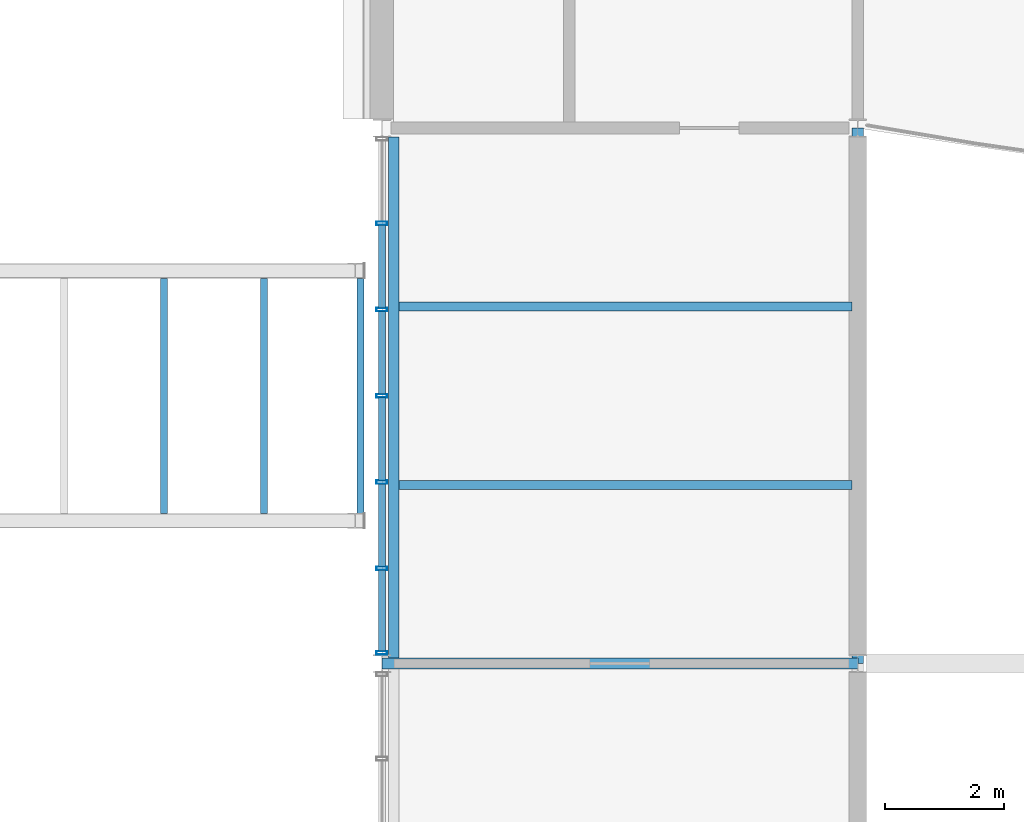
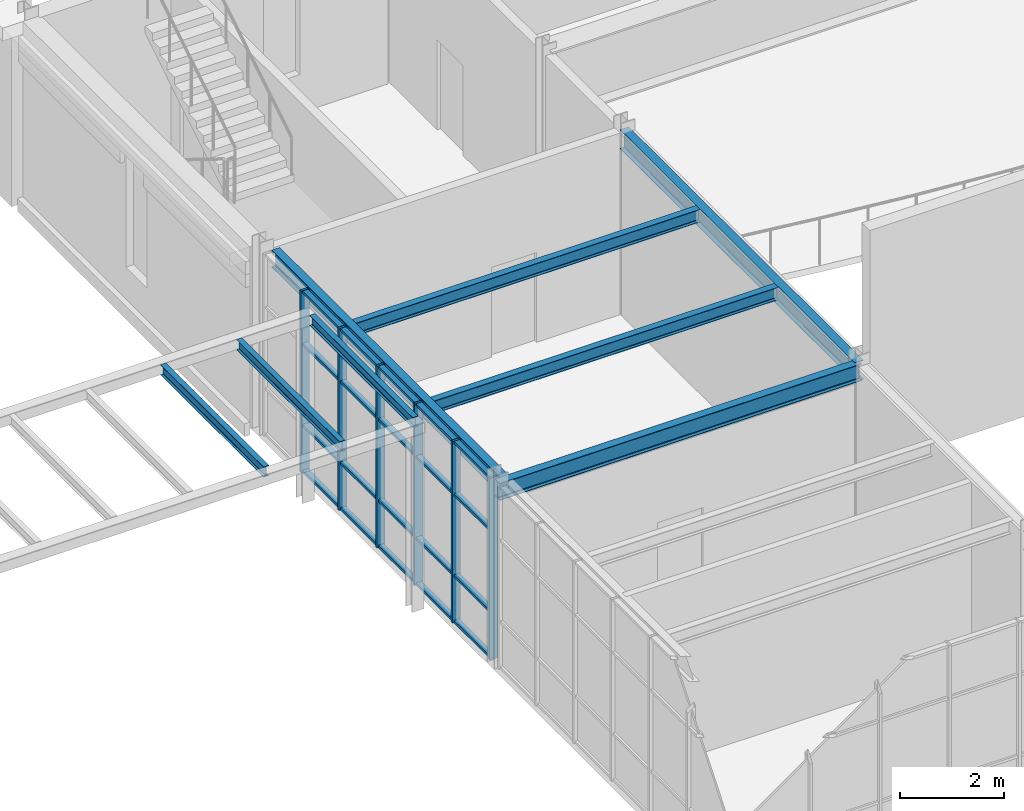
# One storey, part 71 of 153: 26 members, 8 beams, 1 element without a shape of its own.
"""IFC4 building model written with IfcOpenShell, lengths in metres."""

from ifc_helpers import new_model, si_unit, direction, frame, origin, origin_2d, place, context, subcontext, project, spatial, hollow_rectangle, i_section, extrude, material, material_profile, profile_set, type_object, element, aggregate, save


model = new_model("IFC4")

# Units and contexts
model_context = context("Model", 3, precision=1e-05, world=origin(), true_north=direction((0.0, 1.0)))
body_context = subcontext(model_context, "Body", "Model", "MODEL_VIEW")
ifc_project = project(units=[si_unit("LENGTHUNIT", "METRE"), si_unit("AREAUNIT", "SQUARE_METRE"), si_unit("VOLUMEUNIT", "CUBIC_METRE"), si_unit("PLANEANGLEUNIT", "RADIAN"), si_unit("MASSUNIT", "GRAM", prefix="KILO")], contexts=[model_context])

# Site, building, storey
site_placement = place(None, origin())
site = spatial("IfcSite", under=ifc_project, at=site_placement, CompositionType="ELEMENT")
building_placement = place(site_placement, origin())
building = spatial("IfcBuilding", under=site, at=building_placement, Name="Kallimachos Central Library", CompositionType="ELEMENT")
storey_placement = place(building_placement, frame((0.0, 0.0, 5.39990234375)))
storey = spatial("IfcBuildingStorey", under=building, at=storey_placement, Name="L01", CompositionType="ELEMENT", Elevation=5.39990234375)

# Curtain wall, members
ifc_material_1 = material(Name="Laminated glass in anodised aluminium", Category="aluminium")
curtain_wall_type = type_object("IfcCurtainWallType", Name="Foyer curtain wall", PredefinedType="NOTDEFINED", material=ifc_material_1)
curtain_wall_placement = place(storey_placement, origin())
curtain_wall = element("IfcCurtainWall", 1, at=curtain_wall_placement, inside=storey, type_object=curtain_wall_type, Name="V3-CWL-L01-002", PredefinedType="NOTDEFINED")
ifc_material_2 = material(Name="Anodised aluminium", Category="aluminium")
ifc_material_profile_1 = material_profile(ifc_material_2, hollow_rectangle(XDim=0.06005859375, YDim=0.179931640625, WallThickness=0.00390625, at=origin_2d()), Name="ALU MULLION 60x180")
ifc_profile_set_1 = profile_set([ifc_material_profile_1], Name="Anodised aluminium")
member_type_1 = type_object("IfcMemberType", Name="ALU MULLION 60x180 mullion", PredefinedType="MULLION", material=ifc_profile_set_1)
member_1_placement = place(storey_placement, frame((138.0, 96.179931640625, 0.0), z_axis=(0.0, 0.0, 1.0), x_axis=(0.0, 1.0, 0.0)))
member_1 = element("IfcMember", 2, at=member_1_placement, type_object=member_type_1, Name="CW mullion 1", PredefinedType="MULLION", context=body_context, shape_type="SweptSolid", body=[
    extrude(hollow_rectangle(XDim=0.06005859375, YDim=0.179931640625, WallThickness=0.00390625, at=origin_2d()), origin(), (0.0, 0.0, 1.0), 4.25),
])
member_2_placement = place(storey_placement, frame((138.0, 97.60009765625, 0.0), z_axis=(0.0, 0.0, 1.0), x_axis=(0.0, 1.0, 0.0)))
member_2 = element("IfcMember", 3, at=member_2_placement, type_object=member_type_1, Name="CW mullion 2", PredefinedType="MULLION", context=body_context, shape_type="SweptSolid", body=[
    extrude(hollow_rectangle(XDim=0.06005859375, YDim=0.179931640625, WallThickness=0.00390625, at=origin_2d()), origin(), (0.0, 0.0, 1.0), 4.25),
])
member_3_placement = place(storey_placement, frame((138.0, 99.050048828125, 0.0), z_axis=(0.0, 0.0, 1.0), x_axis=(0.0, 1.0, 0.0)))
member_3 = element("IfcMember", 4, at=member_3_placement, type_object=member_type_1, Name="CW mullion 3", PredefinedType="MULLION", context=body_context, shape_type="SweptSolid", body=[
    extrude(hollow_rectangle(XDim=0.06005859375, YDim=0.179931640625, WallThickness=0.00390625, at=origin_2d()), origin(), (0.0, 0.0, 1.0), 4.25),
])
member_4_placement = place(storey_placement, frame((138.0, 100.5, 0.0), z_axis=(0.0, 0.0, 1.0), x_axis=(0.0, 1.0, 0.0)))
member_4 = element("IfcMember", 5, at=member_4_placement, type_object=member_type_1, Name="CW mullion 4", PredefinedType="MULLION", context=body_context, shape_type="SweptSolid", body=[
    extrude(hollow_rectangle(XDim=0.06005859375, YDim=0.179931640625, WallThickness=0.00390625, at=origin_2d()), origin(), (0.0, 0.0, 1.0), 4.25),
])
member_5_placement = place(storey_placement, frame((138.0, 101.949951171875, 0.0), z_axis=(0.0, 0.0, 1.0), x_axis=(0.0, 1.0, 0.0)))
member_5 = element("IfcMember", 6, at=member_5_placement, type_object=member_type_1, Name="CW mullion 5", PredefinedType="MULLION", context=body_context, shape_type="SweptSolid", body=[
    extrude(hollow_rectangle(XDim=0.06005859375, YDim=0.179931640625, WallThickness=0.00390625, at=origin_2d()), origin(), (0.0, 0.0, 1.0), 4.25),
])
member_6_placement = place(storey_placement, frame((138.0, 103.39990234375, 0.0), z_axis=(0.0, 0.0, 1.0), x_axis=(0.0, 1.0, 0.0)))
member_6 = element("IfcMember", 7, at=member_6_placement, type_object=member_type_1, Name="CW mullion 6", PredefinedType="MULLION", context=body_context, shape_type="SweptSolid", body=[
    extrude(hollow_rectangle(XDim=0.06005859375, YDim=0.179931640625, WallThickness=0.00390625, at=origin_2d()), origin(), (0.0, 0.0, 1.0), 4.25),
])
ifc_material_3 = material(Name="Anodised aluminium", Category="aluminium")
ifc_material_profile_2 = material_profile(ifc_material_3, hollow_rectangle(XDim=0.06005859375, YDim=0.1201171875, WallThickness=0.00390625, at=origin_2d()), Name="ALU TRANSOM 60x120")
ifc_profile_set_2 = profile_set([ifc_material_profile_2], Name="Anodised aluminium")
member_type_2 = type_object("IfcMemberType", Name="ALU TRANSOM 60x120 transom", PredefinedType="USERDEFINED", material=ifc_profile_set_2)
member_7_placement = place(storey_placement, frame((138.0, 96.2099609375, 0.030029296875), z_axis=(0.0, 1.0, 0.0), x_axis=(0.0, 0.0, 1.0)))
member_7 = element("IfcMember", 8, at=member_7_placement, type_object=member_type_2, Name="CW transom 1.1", ObjectType="TRANSOM", PredefinedType="USERDEFINED", context=body_context, shape_type="SweptSolid", body=[
    extrude(hollow_rectangle(XDim=0.06005859375, YDim=0.1201171875, WallThickness=0.00390625, at=origin_2d()), origin(), (0.0, 0.0, 1.0), 1.360107421875),
])
member_8_placement = place(storey_placement, frame((138.0, 96.2099609375, 1.10009765625), z_axis=(0.0, 1.0, 0.0), x_axis=(0.0, 0.0, 1.0)))
member_8 = element("IfcMember", 9, at=member_8_placement, type_object=member_type_2, Name="CW transom 1.2", ObjectType="TRANSOM", PredefinedType="USERDEFINED", context=body_context, shape_type="SweptSolid", body=[
    extrude(hollow_rectangle(XDim=0.06005859375, YDim=0.1201171875, WallThickness=0.00390625, at=origin_2d()), origin(), (0.0, 0.0, 1.0), 1.360107421875),
])
member_9_placement = place(storey_placement, frame((138.0, 96.2099609375, 3.0), z_axis=(0.0, 1.0, 0.0), x_axis=(0.0, 0.0, 1.0)))
member_9 = element("IfcMember", 10, at=member_9_placement, type_object=member_type_2, Name="CW transom 1.3", ObjectType="TRANSOM", PredefinedType="USERDEFINED", context=body_context, shape_type="SweptSolid", body=[
    extrude(hollow_rectangle(XDim=0.06005859375, YDim=0.1201171875, WallThickness=0.00390625, at=origin_2d()), origin(), (0.0, 0.0, 1.0), 1.360107421875),
])
member_10_placement = place(storey_placement, frame((138.0, 96.2099609375, 4.22021484375), z_axis=(0.0, 1.0, 0.0), x_axis=(0.0, 0.0, 1.0)))
member_10 = element("IfcMember", 11, at=member_10_placement, type_object=member_type_2, Name="CW transom 1.4", ObjectType="TRANSOM", PredefinedType="USERDEFINED", context=body_context, shape_type="SweptSolid", body=[
    extrude(hollow_rectangle(XDim=0.06005859375, YDim=0.1201171875, WallThickness=0.00390625, at=origin_2d()), origin(), (0.0, 0.0, 1.0), 1.360107421875),
])
member_11_placement = place(storey_placement, frame((138.0, 97.6298828125, 0.030029296875), z_axis=(0.0, 1.0, 0.0), x_axis=(0.0, 0.0, 1.0)))
member_11 = element("IfcMember", 12, at=member_11_placement, type_object=member_type_2, Name="CW transom 2.1", ObjectType="TRANSOM", PredefinedType="USERDEFINED", context=body_context, shape_type="SweptSolid", body=[
    extrude(hollow_rectangle(XDim=0.06005859375, YDim=0.1201171875, WallThickness=0.00390625, at=origin_2d()), origin(), (0.0, 0.0, 1.0), 1.39013671875),
])
member_12_placement = place(storey_placement, frame((138.0, 97.6298828125, 1.10009765625), z_axis=(0.0, 1.0, 0.0), x_axis=(0.0, 0.0, 1.0)))
member_12 = element("IfcMember", 13, at=member_12_placement, type_object=member_type_2, Name="CW transom 2.2", ObjectType="TRANSOM", PredefinedType="USERDEFINED", context=body_context, shape_type="SweptSolid", body=[
    extrude(hollow_rectangle(XDim=0.06005859375, YDim=0.1201171875, WallThickness=0.00390625, at=origin_2d()), origin(), (0.0, 0.0, 1.0), 1.39013671875),
])
member_13_placement = place(storey_placement, frame((138.0, 97.6298828125, 3.0), z_axis=(0.0, 1.0, 0.0), x_axis=(0.0, 0.0, 1.0)))
member_13 = element("IfcMember", 14, at=member_13_placement, type_object=member_type_2, Name="CW transom 2.3", ObjectType="TRANSOM", PredefinedType="USERDEFINED", context=body_context, shape_type="SweptSolid", body=[
    extrude(hollow_rectangle(XDim=0.06005859375, YDim=0.1201171875, WallThickness=0.00390625, at=origin_2d()), origin(), (0.0, 0.0, 1.0), 1.39013671875),
])
member_14_placement = place(storey_placement, frame((138.0, 97.6298828125, 4.22021484375), z_axis=(0.0, 1.0, 0.0), x_axis=(0.0, 0.0, 1.0)))
member_14 = element("IfcMember", 15, at=member_14_placement, type_object=member_type_2, Name="CW transom 2.4", ObjectType="TRANSOM", PredefinedType="USERDEFINED", context=body_context, shape_type="SweptSolid", body=[
    extrude(hollow_rectangle(XDim=0.06005859375, YDim=0.1201171875, WallThickness=0.00390625, at=origin_2d()), origin(), (0.0, 0.0, 1.0), 1.39013671875),
])
member_15_placement = place(storey_placement, frame((138.0, 99.080078125, 0.030029296875), z_axis=(0.0, 1.0, 0.0), x_axis=(0.0, 0.0, 1.0)))
member_15 = element("IfcMember", 16, at=member_15_placement, type_object=member_type_2, Name="CW transom 3.1", ObjectType="TRANSOM", PredefinedType="USERDEFINED", context=body_context, shape_type="SweptSolid", body=[
    extrude(hollow_rectangle(XDim=0.06005859375, YDim=0.1201171875, WallThickness=0.00390625, at=origin_2d()), origin(), (0.0, 0.0, 1.0), 1.389892578125),
])
member_16_placement = place(storey_placement, frame((138.0, 99.080078125, 1.10009765625), z_axis=(0.0, 1.0, 0.0), x_axis=(0.0, 0.0, 1.0)))
member_16 = element("IfcMember", 17, at=member_16_placement, type_object=member_type_2, Name="CW transom 3.2", ObjectType="TRANSOM", PredefinedType="USERDEFINED", context=body_context, shape_type="SweptSolid", body=[
    extrude(hollow_rectangle(XDim=0.06005859375, YDim=0.1201171875, WallThickness=0.00390625, at=origin_2d()), origin(), (0.0, 0.0, 1.0), 1.389892578125),
])
member_17_placement = place(storey_placement, frame((138.0, 99.080078125, 3.0), z_axis=(0.0, 1.0, 0.0), x_axis=(0.0, 0.0, 1.0)))
member_17 = element("IfcMember", 18, at=member_17_placement, type_object=member_type_2, Name="CW transom 3.3", ObjectType="TRANSOM", PredefinedType="USERDEFINED", context=body_context, shape_type="SweptSolid", body=[
    extrude(hollow_rectangle(XDim=0.06005859375, YDim=0.1201171875, WallThickness=0.00390625, at=origin_2d()), origin(), (0.0, 0.0, 1.0), 1.389892578125),
])
member_18_placement = place(storey_placement, frame((138.0, 99.080078125, 4.22021484375), z_axis=(0.0, 1.0, 0.0), x_axis=(0.0, 0.0, 1.0)))
member_18 = element("IfcMember", 19, at=member_18_placement, type_object=member_type_2, Name="CW transom 3.4", ObjectType="TRANSOM", PredefinedType="USERDEFINED", context=body_context, shape_type="SweptSolid", body=[
    extrude(hollow_rectangle(XDim=0.06005859375, YDim=0.1201171875, WallThickness=0.00390625, at=origin_2d()), origin(), (0.0, 0.0, 1.0), 1.389892578125),
])
member_19_placement = place(storey_placement, frame((138.0, 100.530029296875, 0.030029296875), z_axis=(0.0, 1.0, 0.0), x_axis=(0.0, 0.0, 1.0)))
member_19 = element("IfcMember", 20, at=member_19_placement, type_object=member_type_2, Name="CW transom 4.1", ObjectType="TRANSOM", PredefinedType="USERDEFINED", context=body_context, shape_type="SweptSolid", body=[
    extrude(hollow_rectangle(XDim=0.06005859375, YDim=0.1201171875, WallThickness=0.00390625, at=origin_2d()), origin(), (0.0, 0.0, 1.0), 1.389892578125),
])
member_20_placement = place(storey_placement, frame((138.0, 100.530029296875, 1.10009765625), z_axis=(0.0, 1.0, 0.0), x_axis=(0.0, 0.0, 1.0)))
member_20 = element("IfcMember", 21, at=member_20_placement, type_object=member_type_2, Name="CW transom 4.2", ObjectType="TRANSOM", PredefinedType="USERDEFINED", context=body_context, shape_type="SweptSolid", body=[
    extrude(hollow_rectangle(XDim=0.06005859375, YDim=0.1201171875, WallThickness=0.00390625, at=origin_2d()), origin(), (0.0, 0.0, 1.0), 1.389892578125),
])
member_21_placement = place(storey_placement, frame((138.0, 100.530029296875, 3.0), z_axis=(0.0, 1.0, 0.0), x_axis=(0.0, 0.0, 1.0)))
member_21 = element("IfcMember", 22, at=member_21_placement, type_object=member_type_2, Name="CW transom 4.3", ObjectType="TRANSOM", PredefinedType="USERDEFINED", context=body_context, shape_type="SweptSolid", body=[
    extrude(hollow_rectangle(XDim=0.06005859375, YDim=0.1201171875, WallThickness=0.00390625, at=origin_2d()), origin(), (0.0, 0.0, 1.0), 1.389892578125),
])
member_22_placement = place(storey_placement, frame((138.0, 100.530029296875, 4.22021484375), z_axis=(0.0, 1.0, 0.0), x_axis=(0.0, 0.0, 1.0)))
member_22 = element("IfcMember", 23, at=member_22_placement, type_object=member_type_2, Name="CW transom 4.4", ObjectType="TRANSOM", PredefinedType="USERDEFINED", context=body_context, shape_type="SweptSolid", body=[
    extrude(hollow_rectangle(XDim=0.06005859375, YDim=0.1201171875, WallThickness=0.00390625, at=origin_2d()), origin(), (0.0, 0.0, 1.0), 1.389892578125),
])
member_23_placement = place(storey_placement, frame((138.0, 101.97998046875, 0.030029296875), z_axis=(0.0, 1.0, 0.0), x_axis=(0.0, 0.0, 1.0)))
member_23 = element("IfcMember", 24, at=member_23_placement, type_object=member_type_2, Name="CW transom 5.1", ObjectType="TRANSOM", PredefinedType="USERDEFINED", context=body_context, shape_type="SweptSolid", body=[
    extrude(hollow_rectangle(XDim=0.06005859375, YDim=0.1201171875, WallThickness=0.00390625, at=origin_2d()), origin(), (0.0, 0.0, 1.0), 1.39013671875),
])
member_24_placement = place(storey_placement, frame((138.0, 101.97998046875, 1.10009765625), z_axis=(0.0, 1.0, 0.0), x_axis=(0.0, 0.0, 1.0)))
member_24 = element("IfcMember", 25, at=member_24_placement, type_object=member_type_2, Name="CW transom 5.2", ObjectType="TRANSOM", PredefinedType="USERDEFINED", context=body_context, shape_type="SweptSolid", body=[
    extrude(hollow_rectangle(XDim=0.06005859375, YDim=0.1201171875, WallThickness=0.00390625, at=origin_2d()), origin(), (0.0, 0.0, 1.0), 1.39013671875),
])
member_25_placement = place(storey_placement, frame((138.0, 101.97998046875, 3.0), z_axis=(0.0, 1.0, 0.0), x_axis=(0.0, 0.0, 1.0)))
member_25 = element("IfcMember", 26, at=member_25_placement, type_object=member_type_2, Name="CW transom 5.3", ObjectType="TRANSOM", PredefinedType="USERDEFINED", context=body_context, shape_type="SweptSolid", body=[
    extrude(hollow_rectangle(XDim=0.06005859375, YDim=0.1201171875, WallThickness=0.00390625, at=origin_2d()), origin(), (0.0, 0.0, 1.0), 1.39013671875),
])
member_26_placement = place(storey_placement, frame((138.0, 101.97998046875, 4.22021484375), z_axis=(0.0, 1.0, 0.0), x_axis=(0.0, 0.0, 1.0)))
member_26 = element("IfcMember", 27, at=member_26_placement, type_object=member_type_2, Name="CW transom 5.4", ObjectType="TRANSOM", PredefinedType="USERDEFINED", context=body_context, shape_type="SweptSolid", body=[
    extrude(hollow_rectangle(XDim=0.06005859375, YDim=0.1201171875, WallThickness=0.00390625, at=origin_2d()), origin(), (0.0, 0.0, 1.0), 1.39013671875),
])
aggregate(curtain_wall, [member_1, member_2, member_3, member_4, member_5, member_6, member_7, member_8, member_9, member_10, member_11, member_12, member_13, member_14, member_15, member_16, member_17, member_18, member_19, member_20, member_21, member_22, member_23, member_24, member_25, member_26])

# Beams
ifc_material_4 = material(Name="Steel S355J2", Category="steel")
ifc_material_profile_3 = material_profile(ifc_material_4, i_section(OverallWidth=0.1201171875, OverallDepth=0.239990234375, WebThickness=0.006103515625, FlangeThickness=0.009765625, FilletRadius=0.014892578125, at=origin_2d()), Name="IPE 240")
ifc_profile_set_3 = profile_set([ifc_material_profile_3], Name="Steel S355J2")
beam_type_1 = type_object("IfcBeamType", Name="IPE 240 beam", PredefinedType="BEAM", material=ifc_profile_set_3)
for number, where, z_axis, x_axis, name in (
    (28, (134.340576171875, 98.52490234375, 4.22998046875), (0.0, 1.0, 0.0), (-1.0, 0.0, 0.0), "links-BEM-L01-050"),
    (29, (136.020263671875, 98.52490234375, 4.22998046875), (0.0, 1.0, 0.0), (-1.0, 0.0, 0.0), "links-BEM-L01-051"),
    (30, (137.639892578125, 98.52490234375, 4.22998046875), (0.0, 1.0, 0.0), (-1.0, 0.0, 0.0), "links-BEM-L01-052"),
):
    element("IfcBeam", number, at=place(storey_placement, frame(where, z_axis=z_axis, x_axis=x_axis)), inside=storey, type_object=beam_type_1, Name=name, PredefinedType="BEAM", context=body_context, shape_type="SweptSolid", body=[
        extrude(i_section(OverallWidth=0.1201171875, OverallDepth=0.239990234375, WebThickness=0.006103515625, FlangeThickness=0.009765625, FilletRadius=0.014892578125, at=origin_2d()), origin(), (0.0, 0.0, 1.0), 3.9501953125),
    ])
ifc_material_5 = material(Name="Steel S355J2", Category="steel")
ifc_material_profile_4 = material_profile(ifc_material_5, i_section(OverallWidth=0.14990234375, OverallDepth=0.300048828125, WebThickness=0.007080078125, FlangeThickness=0.0107421875, FilletRadius=0.014892578125, at=origin_2d()), Name="IPE 300")
ifc_profile_set_4 = profile_set([ifc_material_profile_4], Name="Steel S355J2")
beam_type_2 = type_object("IfcBeamType", Name="IPE 300 beam", PredefinedType="BEAM", material=ifc_profile_set_4)
for number, where, z_axis, x_axis, name in (
    (31, (138.2900390625, 99.0, 4.10009765625), (1.0, 0.0, 0.0), (0.0, 1.0, 0.0), "V3-BEM-L01-007"),
    (32, (138.2900390625, 102.0, 4.10009765625), (1.0, 0.0, 0.0), (0.0, 1.0, 0.0), "V3-BEM-L01-008"),
):
    element("IfcBeam", number, at=place(storey_placement, frame(where, z_axis=z_axis, x_axis=x_axis)), inside=storey, type_object=beam_type_2, Name=name, PredefinedType="BEAM", context=body_context, shape_type="SweptSolid", body=[
        extrude(i_section(OverallWidth=0.14990234375, OverallDepth=0.300048828125, WebThickness=0.007080078125, FlangeThickness=0.0107421875, FilletRadius=0.014892578125, at=origin_2d()), origin(), (0.0, 0.0, 1.0), 7.614990234375),
    ])
ifc_material_6 = material(Name="Steel S355J2", Category="steel")
ifc_material_profile_5 = material_profile(ifc_material_6, i_section(OverallWidth=0.179931640625, OverallDepth=0.39990234375, WebThickness=0.008544921875, FlangeThickness=0.013427734375, FilletRadius=0.02099609375, at=origin_2d()), Name="IPE 400")
ifc_profile_set_5 = profile_set([ifc_material_profile_5], Name="Steel S355J2")
beam_type_3 = type_object("IfcBeamType", Name="IPE 400 beam", PredefinedType="BEAM", material=ifc_profile_set_5)
beam_1_placement = place(storey_placement, frame((138.199951171875, 96.090087890625, 4.050048828125), z_axis=(0.0, 1.0, 0.0), x_axis=(-1.0, 0.0, 0.0)))
element("IfcBeam", 33, at=beam_1_placement, inside=storey, type_object=beam_type_3, Name="Facade edge beam L01", PredefinedType="BEAM", context=body_context, shape_type="SweptSolid", body=[
    extrude(i_section(OverallWidth=0.179931640625, OverallDepth=0.39990234375, WebThickness=0.008544921875, FlangeThickness=0.013427734375, FilletRadius=0.02099609375, at=origin_2d()), origin(), (0.0, 0.0, 1.0), 8.760009765625),
])
beam_2_placement = place(storey_placement, frame((138.0, 96.0, 4.050048828125), z_axis=(1.0, 0.0, 0.0), x_axis=(0.0, 1.0, 0.0)))
element("IfcBeam", 34, at=beam_2_placement, inside=storey, type_object=beam_type_3, Name="V3-BEM-L01-009", PredefinedType="BEAM", context=body_context, shape_type="SweptSolid", body=[
    extrude(i_section(OverallWidth=0.179931640625, OverallDepth=0.39990234375, WebThickness=0.008544921875, FlangeThickness=0.013427734375, FilletRadius=0.02099609375, at=origin_2d()), origin(), (0.0, 0.0, 1.0), 8.0),
])
ifc_material_7 = material(Name="Steel S355J2", Category="steel")
ifc_material_profile_6 = material_profile(ifc_material_7, i_section(OverallWidth=0.18994140625, OverallDepth=0.449951171875, WebThickness=0.009521484375, FlangeThickness=0.0146484375, FilletRadius=0.02099609375, at=origin_2d()), Name="IPE 450")
ifc_profile_set_6 = profile_set([ifc_material_profile_6], Name="Steel S355J2")
beam_type_4 = type_object("IfcBeamType", Name="IPE 450 beam", PredefinedType="BEAM", material=ifc_profile_set_6)
beam_3_placement = place(storey_placement, frame((146.0, 96.0, 4.025146484375), z_axis=(0.0, 1.0, 0.0), x_axis=(-1.0, 0.0, 0.0)))
element("IfcBeam", 35, at=beam_3_placement, inside=storey, type_object=beam_type_4, Name="V3-BEM-L01-005", PredefinedType="BEAM", context=body_context, shape_type="SweptSolid", body=[
    extrude(i_section(OverallWidth=0.18994140625, OverallDepth=0.449951171875, WebThickness=0.009521484375, FlangeThickness=0.0146484375, FilletRadius=0.02099609375, at=origin_2d()), origin(), (0.0, 0.0, 1.0), 9.0),
])

save(model, "model.ifc")
